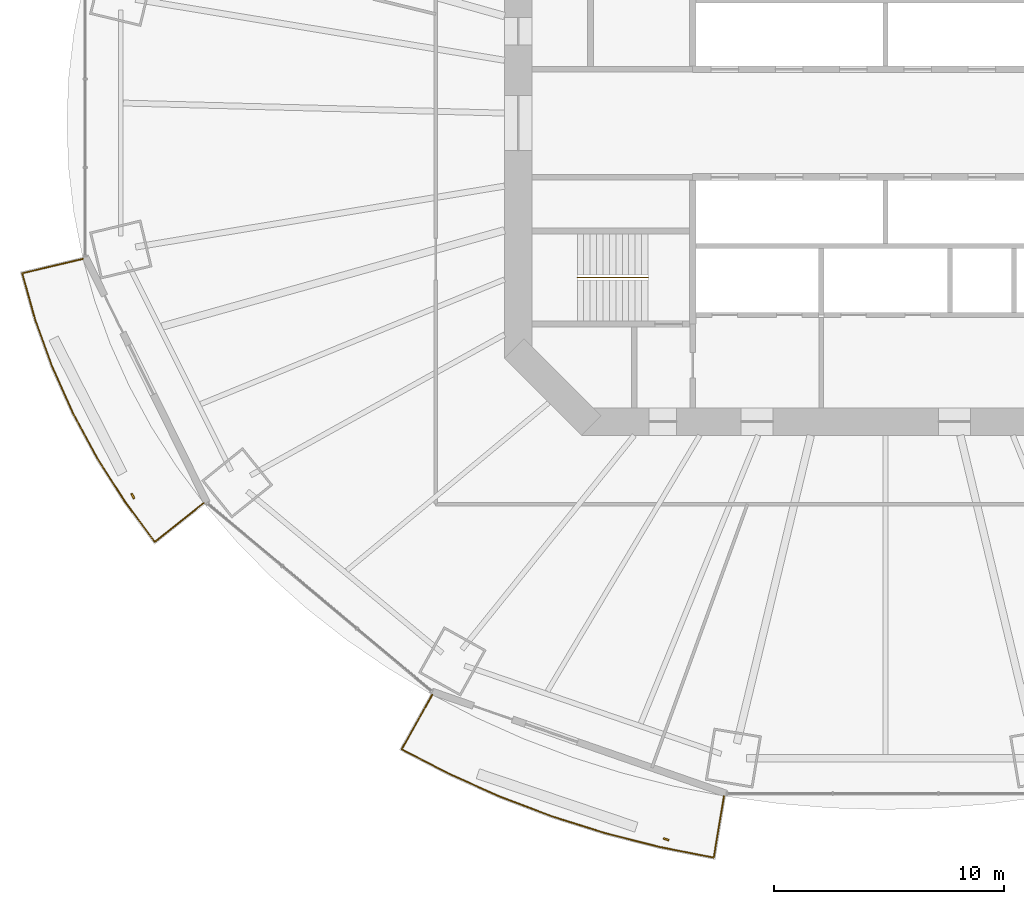
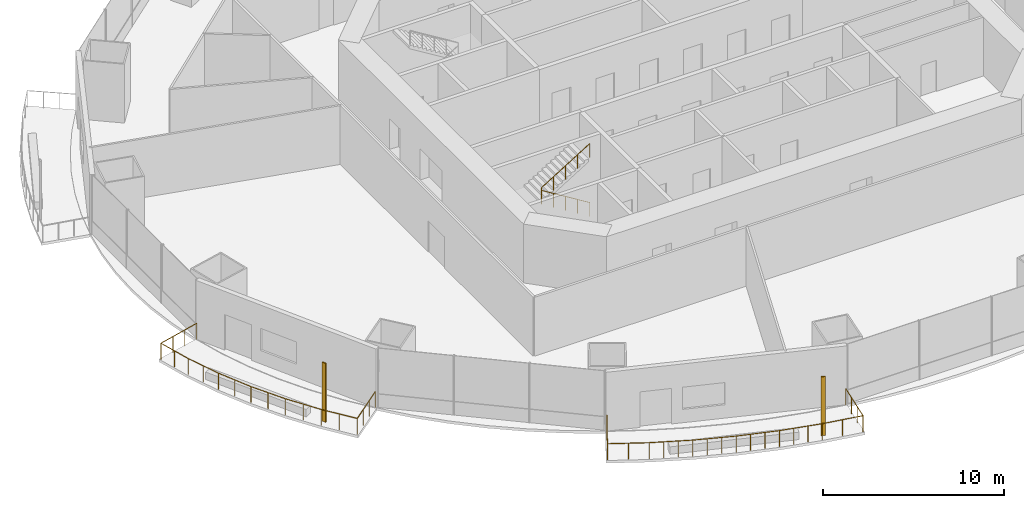
# One storey, part 17 of 22: 3 railings, 2 shading devices.
"""IFC4 building model written with IfcOpenShell, lengths in metres."""

from ifc_helpers import new_model, si_unit, direction, frame, origin, origin_2d, place, context, subcontext, project, spatial, rectangle, circle, extrude, material, material_profile, profile_set, type_object, element, save


model = new_model("IFC4")

# Units and contexts
model_context = context("Model", 3, precision=1e-05, world=origin(), true_north=direction((0.0, 1.0)))
body_context = subcontext(model_context, "Body", "Model", "MODEL_VIEW")
ifc_project = project(units=[si_unit("LENGTHUNIT", "METRE"), si_unit("AREAUNIT", "SQUARE_METRE"), si_unit("VOLUMEUNIT", "CUBIC_METRE"), si_unit("PLANEANGLEUNIT", "RADIAN"), si_unit("MASSUNIT", "GRAM", prefix="KILO")], contexts=[model_context])

# Site, building, storey
site_placement = place(None, origin())
site = spatial("IfcSite", under=ifc_project, at=site_placement, CompositionType="ELEMENT")
building_placement = place(site_placement, origin())
building = spatial("IfcBuilding", under=site, at=building_placement, Name="Marenthal Gate Tower", CompositionType="ELEMENT")
storey_placement = place(building_placement, frame((0.0, 0.0, 74.5)))
storey = spatial("IfcBuildingStorey", under=building, at=storey_placement, Name="L14", CompositionType="ELEMENT", Elevation=74.5)

# Railings
ifc_material_1 = material(Name="Stainless steel", Category="steel")
railing_type_1 = type_object("IfcRailingType", Name="Balcony guard 1100", PredefinedType="GUARDRAIL", material=ifc_material_1)
railing_1_placement = place(storey_placement, frame((-29.7109375, -16.55126953125, 0.0)))
element("IfcRailing", 1, at=railing_1_placement, inside=storey, type_object=railing_type_1, Name="Balcony guard L14 bay 9", PredefinedType="GUARDRAIL", context=body_context, shape_type="SweptSolid", body=[
    extrude(circle(Radius=0.02392578125, at=origin_2d()), frame((0.0, 0.0, 1.076171875), z_axis=(-0.782139521654, -0.622929480184, -0.014718402932), x_axis=(0.622996964186, -0.782224253405, 0.0)), (0.0, 0.0, 1.0), 2.720458984375),
    extrude(circle(Radius=0.02392578125, at=origin_2d()), frame((-2.127685546875, -1.694580078125, 1.0361328125), z_axis=(-0.594680833833, 0.803961880857, 0.0), x_axis=(-0.803961880857, -0.594680833833, 0.0)), (0.0, 0.0, 1.0), 2.17919921875),
    extrude(circle(Radius=0.02392578125, at=origin_2d()), frame((-3.423583984375, 0.057373046875, 1.0361328125), z_axis=(-0.53758735843, 0.843208059767, 0.0), x_axis=(-0.843208059767, -0.53758735843, 0.0)), (0.0, 0.0, 1.0), 2.24072265625),
    extrude(circle(Radius=0.02392578125, at=origin_2d()), frame((-4.628173828125, 1.94677734375, 1.0361328125), z_axis=(-0.475441262736, 0.879747466997, 0.0), x_axis=(-0.879747466997, -0.475441262736, 0.0)), (0.0, 0.0, 1.0), 2.223876953125),
    extrude(circle(Radius=0.02392578125, at=origin_2d()), frame((-5.685546875, 3.9033203125, 1.0361328125), z_axis=(-0.409519083019, 0.912301551376, 0.0), x_axis=(-0.912301551376, -0.409519083019, 0.0)), (0.0, 0.0, 1.0), 2.20947265625),
    extrude(circle(Radius=0.02392578125, at=origin_2d()), frame((-6.59033203125, 5.9189453125, 1.0361328125), z_axis=(-0.340269936614, 0.940327799353, 0.0), x_axis=(-0.940327799353, -0.340269936614, 0.0)), (0.0, 0.0, 1.0), 2.1962890625),
    extrude(circle(Radius=0.02392578125, at=origin_2d()), frame((-7.337646484375, 7.984130859375, 1.0361328125), z_axis=(-0.26934176956, 0.963044656893, 0.0), x_axis=(-0.963044656893, -0.26934176956, 0.0)), (0.0, 0.0, 1.0), 2.105712890625),
    extrude(circle(Radius=0.02392578125, at=origin_2d()), frame((-7.90478515625, 10.011962890625, 1.0361328125), z_axis=(0.972921871805, 0.230665056323, 0.014719482193), x_axis=(-0.230690048693, 0.973027287096, 0.0)), (0.0, 0.0, 1.0), 2.72021484375),
    extrude(circle(Radius=0.02099609375, at=origin_2d()), origin(), (0.0, 0.0, 1.0), 1.052001953125),
    extrude(circle(Radius=0.02099609375, at=origin_2d()), frame((-0.709228515625, -0.56494140625, -0.013427734375)), (0.0, 0.0, 1.0), 1.052001953125),
    extrude(circle(Radius=0.02099609375, at=origin_2d()), frame((-1.41845703125, -1.129638671875, -0.026611328125)), (0.0, 0.0, 1.0), 1.052001953125),
    extrude(circle(Radius=0.02099609375, at=origin_2d()), frame((-2.127685546875, -1.694580078125, -0.0400390625)), (0.0, 0.0, 1.0), 1.052001953125),
    extrude(circle(Radius=0.02099609375, at=origin_2d()), frame((-2.775634765625, -0.818603515625, -0.0400390625)), (0.0, 0.0, 1.0), 1.052001953125),
    extrude(circle(Radius=0.02099609375, at=origin_2d()), frame((-3.423583984375, 0.057373046875, -0.0400390625)), (0.0, 0.0, 1.0), 1.052001953125),
    extrude(circle(Radius=0.02099609375, at=origin_2d()), frame((-4.02587890625, 1.001953125, -0.0400390625)), (0.0, 0.0, 1.0), 1.052001953125),
    extrude(circle(Radius=0.02099609375, at=origin_2d()), frame((-4.628173828125, 1.94677734375, -0.0400390625)), (0.0, 0.0, 1.0), 1.052001953125),
    extrude(circle(Radius=0.02099609375, at=origin_2d()), frame((-5.15673828125, 2.925048828125, -0.0400390625)), (0.0, 0.0, 1.0), 1.052001953125),
    extrude(circle(Radius=0.02099609375, at=origin_2d()), frame((-5.685546875, 3.9033203125, -0.0400390625)), (0.0, 0.0, 1.0), 1.052001953125),
    extrude(circle(Radius=0.02099609375, at=origin_2d()), frame((-6.137939453125, 4.9111328125, -0.0400390625)), (0.0, 0.0, 1.0), 1.052001953125),
    extrude(circle(Radius=0.02099609375, at=origin_2d()), frame((-6.59033203125, 5.9189453125, -0.0400390625)), (0.0, 0.0, 1.0), 1.052001953125),
    extrude(circle(Radius=0.02099609375, at=origin_2d()), frame((-6.9638671875, 6.95166015625, -0.0400390625)), (0.0, 0.0, 1.0), 1.052001953125),
    extrude(circle(Radius=0.02099609375, at=origin_2d()), frame((-7.337646484375, 7.984130859375, -0.0400390625)), (0.0, 0.0, 1.0), 1.052001953125),
    extrude(circle(Radius=0.02099609375, at=origin_2d()), frame((-7.62109375, 8.998046875, -0.0400390625)), (0.0, 0.0, 1.0), 1.052001953125),
    extrude(circle(Radius=0.02099609375, at=origin_2d()), frame((-7.90478515625, 10.011962890625, -0.0400390625)), (0.0, 0.0, 1.0), 1.052001953125),
    extrude(circle(Radius=0.02099609375, at=origin_2d()), frame((-7.022705078125, 10.22119140625, -0.026611328125)), (0.0, 0.0, 1.0), 1.052001953125),
    extrude(circle(Radius=0.02099609375, at=origin_2d()), frame((-6.140380859375, 10.43017578125, -0.013427734375)), (0.0, 0.0, 1.0), 1.052001953125),
    extrude(circle(Radius=0.02099609375, at=origin_2d()), frame((-5.25830078125, 10.639404296875, 0.0)), (0.0, 0.0, 1.0), 1.052001953125),
])
railing_2_placement = place(storey_placement, frame((-7.038330078125, -29.316162109375, 0.0)))
element("IfcRailing", 2, at=railing_2_placement, inside=storey, type_object=railing_type_1, Name="Balcony guard L14 bay 11", PredefinedType="GUARDRAIL", context=body_context, shape_type="SweptSolid", body=[
    extrude(circle(Radius=0.02392578125, at=origin_2d()), frame((0.0, 0.0, 1.076171875), z_axis=(-0.164599482451, -0.986250661205, -0.014718819587), x_axis=(0.986357511038, -0.164617315064, 0.0)), (0.0, 0.0, 1.0), 2.72021484375),
    extrude(circle(Radius=0.02392578125, at=origin_2d()), frame((-0.44775390625, -2.682861328125, 1.0361328125), z_axis=(-0.981255035118, 0.192713663388, 0.0), x_axis=(-0.192713663388, -0.981255035118, 0.0)), (0.0, 0.0, 1.0), 2.387939453125),
    extrude(circle(Radius=0.02392578125, at=origin_2d()), frame((-2.791015625, -2.22265625, 1.0361328125), z_axis=(-0.969164913017, 0.246413009756, 0.0), x_axis=(-0.246413009756, -0.969164913017, 0.0)), (0.0, 0.0, 1.0), 2.4580078125),
    extrude(circle(Radius=0.02392578125, at=origin_2d()), frame((-5.17333984375, -1.616943359375, 1.0361328125), z_axis=(-0.953650519342, 0.300916411912, 0.0), x_axis=(-0.300916411912, -0.953650519342, 0.0)), (0.0, 0.0, 1.0), 2.446044921875),
    extrude(circle(Radius=0.02392578125, at=origin_2d()), frame((-7.506103515625, -0.880859375, 1.0361328125), z_axis=(-0.934822913626, 0.355114235366, 0.0), x_axis=(-0.355114235366, -0.934822913626, 0.0)), (0.0, 0.0, 1.0), 2.431640625),
    extrude(circle(Radius=0.02392578125, at=origin_2d()), frame((-9.779296875, -0.017333984375, 1.0361328125), z_axis=(-0.91254444095, 0.408977558419, 0.0), x_axis=(-0.408977558419, -0.91254444095, 0.0)), (0.0, 0.0, 1.0), 2.415771484375),
    extrude(circle(Radius=0.02392578125, at=origin_2d()), frame((-11.98388671875, 0.970703125, 1.0361328125), z_axis=(-0.887259903965, 0.461269837314, 0.0), x_axis=(-0.461269837314, -0.887259903965, 0.0)), (0.0, 0.0, 1.0), 2.318359375),
    extrude(circle(Radius=0.02392578125, at=origin_2d()), frame((-14.040771484375, 2.0400390625, 1.0361328125), z_axis=(0.488916588254, 0.872206373208, 0.014717753391), x_axis=(-0.872300853857, 0.488969549523, 0.0)), (0.0, 0.0, 1.0), 2.720458984375),
    extrude(circle(Radius=0.02099609375, at=origin_2d()), origin(), (0.0, 0.0, 1.0), 1.052001953125),
    extrude(circle(Radius=0.02099609375, at=origin_2d()), frame((-0.149169921875, -0.894287109375, -0.013427734375)), (0.0, 0.0, 1.0), 1.052001953125),
    extrude(circle(Radius=0.02099609375, at=origin_2d()), frame((-0.298583984375, -1.78857421875, -0.026611328125)), (0.0, 0.0, 1.0), 1.052001953125),
    extrude(circle(Radius=0.02099609375, at=origin_2d()), frame((-0.44775390625, -2.682861328125, -0.0400390625)), (0.0, 0.0, 1.0), 1.052001953125),
    extrude(circle(Radius=0.02099609375, at=origin_2d()), frame((-1.619384765625, -2.45263671875, -0.0400390625)), (0.0, 0.0, 1.0), 1.052001953125),
    extrude(circle(Radius=0.02099609375, at=origin_2d()), frame((-2.791015625, -2.22265625, -0.0400390625)), (0.0, 0.0, 1.0), 1.052001953125),
    extrude(circle(Radius=0.02099609375, at=origin_2d()), frame((-3.585205078125, -2.020751953125, -0.0400390625)), (0.0, 0.0, 1.0), 1.052001953125),
    extrude(circle(Radius=0.02099609375, at=origin_2d()), frame((-4.379150390625, -1.81884765625, -0.0400390625)), (0.0, 0.0, 1.0), 1.052001953125),
    extrude(circle(Radius=0.02099609375, at=origin_2d()), frame((-5.17333984375, -1.616943359375, -0.0400390625)), (0.0, 0.0, 1.0), 1.052001953125),
    extrude(circle(Radius=0.02099609375, at=origin_2d()), frame((-5.950927734375, -1.37158203125, -0.0400390625)), (0.0, 0.0, 1.0), 1.052001953125),
    extrude(circle(Radius=0.02099609375, at=origin_2d()), frame((-6.728515625, -1.126220703125, -0.0400390625)), (0.0, 0.0, 1.0), 1.052001953125),
    extrude(circle(Radius=0.02099609375, at=origin_2d()), frame((-7.506103515625, -0.880859375, -0.0400390625)), (0.0, 0.0, 1.0), 1.052001953125),
    extrude(circle(Radius=0.02099609375, at=origin_2d()), frame((-8.263916015625, -0.593017578125, -0.0400390625)), (0.0, 0.0, 1.0), 1.052001953125),
    extrude(circle(Radius=0.02099609375, at=origin_2d()), frame((-9.021484375, -0.30517578125, -0.0400390625)), (0.0, 0.0, 1.0), 1.052001953125),
    extrude(circle(Radius=0.02099609375, at=origin_2d()), frame((-9.779296875, -0.017333984375, -0.0400390625)), (0.0, 0.0, 1.0), 1.052001953125),
    extrude(circle(Radius=0.02099609375, at=origin_2d()), frame((-10.51416015625, 0.31201171875, -0.0400390625)), (0.0, 0.0, 1.0), 1.052001953125),
    extrude(circle(Radius=0.02099609375, at=origin_2d()), frame((-11.2490234375, 0.641357421875, -0.0400390625)), (0.0, 0.0, 1.0), 1.052001953125),
    extrude(circle(Radius=0.02099609375, at=origin_2d()), frame((-11.98388671875, 0.970703125, -0.0400390625)), (0.0, 0.0, 1.0), 1.052001953125),
    extrude(circle(Radius=0.02099609375, at=origin_2d()), frame((-13.01220703125, 1.50537109375, -0.0400390625)), (0.0, 0.0, 1.0), 1.052001953125),
    extrude(circle(Radius=0.02099609375, at=origin_2d()), frame((-14.040771484375, 2.0400390625, -0.0400390625)), (0.0, 0.0, 1.0), 1.052001953125),
    extrude(circle(Radius=0.02099609375, at=origin_2d()), frame((-13.597412109375, 2.8310546875, -0.026611328125)), (0.0, 0.0, 1.0), 1.052001953125),
    extrude(circle(Radius=0.02099609375, at=origin_2d()), frame((-13.154052734375, 3.621826171875, -0.013427734375)), (0.0, 0.0, 1.0), 1.052001953125),
    extrude(circle(Radius=0.02099609375, at=origin_2d()), frame((-12.710693359375, 4.412841796875, 0.0)), (0.0, 0.0, 1.0), 1.052001953125),
])
ifc_material_2 = material(Name="Stainless steel", Category="steel")
railing_type_2 = type_object("IfcRailingType", Name="Stair handrail", PredefinedType="HANDRAIL", material=ifc_material_2)
railing_3_placement = place(storey_placement, frame((-10.35009765625, -6.72509765625, 0.1728515625)))
element("IfcRailing", 3, at=railing_3_placement, inside=storey, type_object=railing_type_2, Name="Handrail ST2", PredefinedType="HANDRAIL", context=body_context, shape_type="SweptSolid", body=[
    extrude(circle(Radius=0.0224609375, at=origin_2d()), frame((0.0, 0.0, 0.927490234375), z_axis=(-0.850816621229, 0.0, 0.525462726595), x_axis=(0.0, -1.0, 0.0)), (0.0, 0.0, 1.0), 3.619873046875),
    extrude(circle(Radius=0.0224609375, at=origin_2d()), frame((-3.079833984375, 0.0, 2.82958984375), z_axis=(0.0, 0.0, 1.0), x_axis=(1.0, 0.0, 0.0)), (0.0, 0.0, 1.0), 0.1728515625),
    extrude(circle(Radius=0.0224609375, at=origin_2d()), frame((-3.079833984375, 0.0, 3.00244140625), z_axis=(0.850816621229, 0.0, 0.525462726595), x_axis=(0.0, 1.0, 0.0)), (0.0, 0.0, 1.0), 3.619873046875),
    extrude(circle(Radius=0.02001953125, at=origin_2d()), origin(), (0.0, 0.0, 1.0), 0.905029296875),
    extrude(circle(Radius=0.02001953125, at=origin_2d()), frame((-0.77001953125, 0.0, 0.4755859375)), (0.0, 0.0, 1.0), 0.905029296875),
    extrude(circle(Radius=0.02001953125, at=origin_2d()), frame((-1.5400390625, 0.0, 0.951171875)), (0.0, 0.0, 1.0), 0.905029296875),
    extrude(circle(Radius=0.02001953125, at=origin_2d()), frame((-2.309814453125, 0.0, 1.426513671875)), (0.0, 0.0, 1.0), 0.905029296875),
    extrude(circle(Radius=0.02001953125, at=origin_2d()), frame((-3.079833984375, 0.0, 1.902099609375)), (0.0, 0.0, 1.0), 0.905029296875),
    extrude(circle(Radius=0.02001953125, at=origin_2d()), frame((-3.079833984375, 0.0, 2.074951171875)), (0.0, 0.0, 1.0), 0.905029296875),
    extrude(circle(Radius=0.02001953125, at=origin_2d()), frame((-2.309814453125, 0.0, 2.550537109375)), (0.0, 0.0, 1.0), 0.905029296875),
    extrude(circle(Radius=0.02001953125, at=origin_2d()), frame((-1.5400390625, 0.0, 3.02587890625)), (0.0, 0.0, 1.0), 0.905029296875),
    extrude(circle(Radius=0.02001953125, at=origin_2d()), frame((-0.77001953125, 0.0, 3.50146484375)), (0.0, 0.0, 1.0), 0.905029296875),
    extrude(circle(Radius=0.02001953125, at=origin_2d()), frame((0.0, 0.0, 3.97705078125)), (0.0, 0.0, 1.0), 0.905029296875),
])

# Shading devices
ifc_material_3 = material(Name="Terracotta", Category="masonry")
ifc_material_profile = material_profile(ifc_material_3, rectangle(XDim=0.25, YDim=0.080078125, at=origin_2d()), Name="Terracotta baguette 250x80")
ifc_profile_set = profile_set([ifc_material_profile], Name="Terracotta")
shading_device_type = type_object("IfcShadingDeviceType", Name="Terracotta BAGUETTE SCREEN 250x80", PredefinedType="USERDEFINED", material=ifc_profile_set)
for number, where, z_axis, x_axis, name in (
    (4, (-32.795166015625, -16.2470703125, -0.0400390625), (0.0, 0.0, 1.0), (0.44293870584, -0.896551896361, 0.0), "Terracotta BAGUETTE L14 bay 9R"),
    (5, (-9.5615234375, -31.202392578125, -0.0400390625), (0.0, 0.0, 1.0), (0.944656596613, -0.328060839595, 0.0), "Terracotta BAGUETTE L14 bay 11R"),
):
    element("IfcShadingDevice", number, at=place(storey_placement, frame(where, z_axis=z_axis, x_axis=x_axis)), inside=storey, type_object=shading_device_type, Name=name, ObjectType="BAGUETTE SCREEN", PredefinedType="USERDEFINED", context=body_context, shape_type="SweptSolid", body=[
        extrude(rectangle(XDim=0.25, YDim=0.080078125, at=origin_2d()), origin(), (0.0, 0.0, 1.0), 3.969970703125),
    ])

save(model, "model.ifc")
